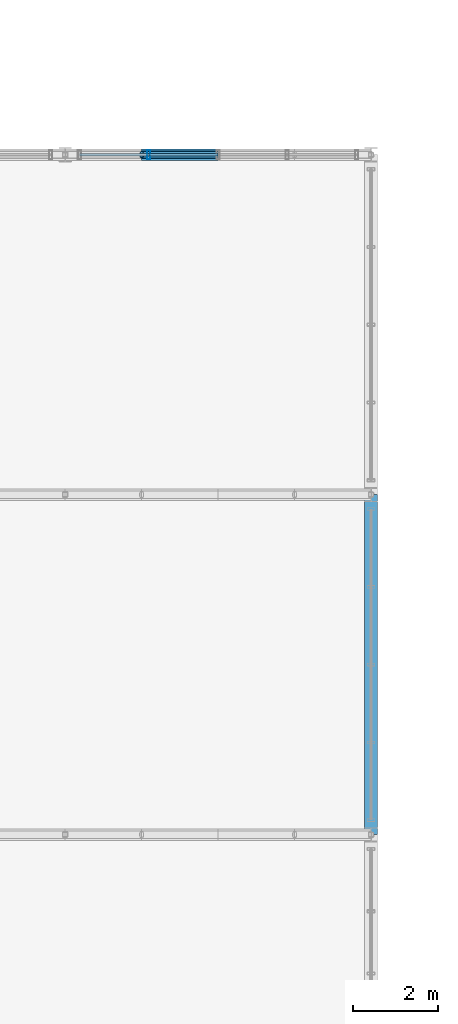
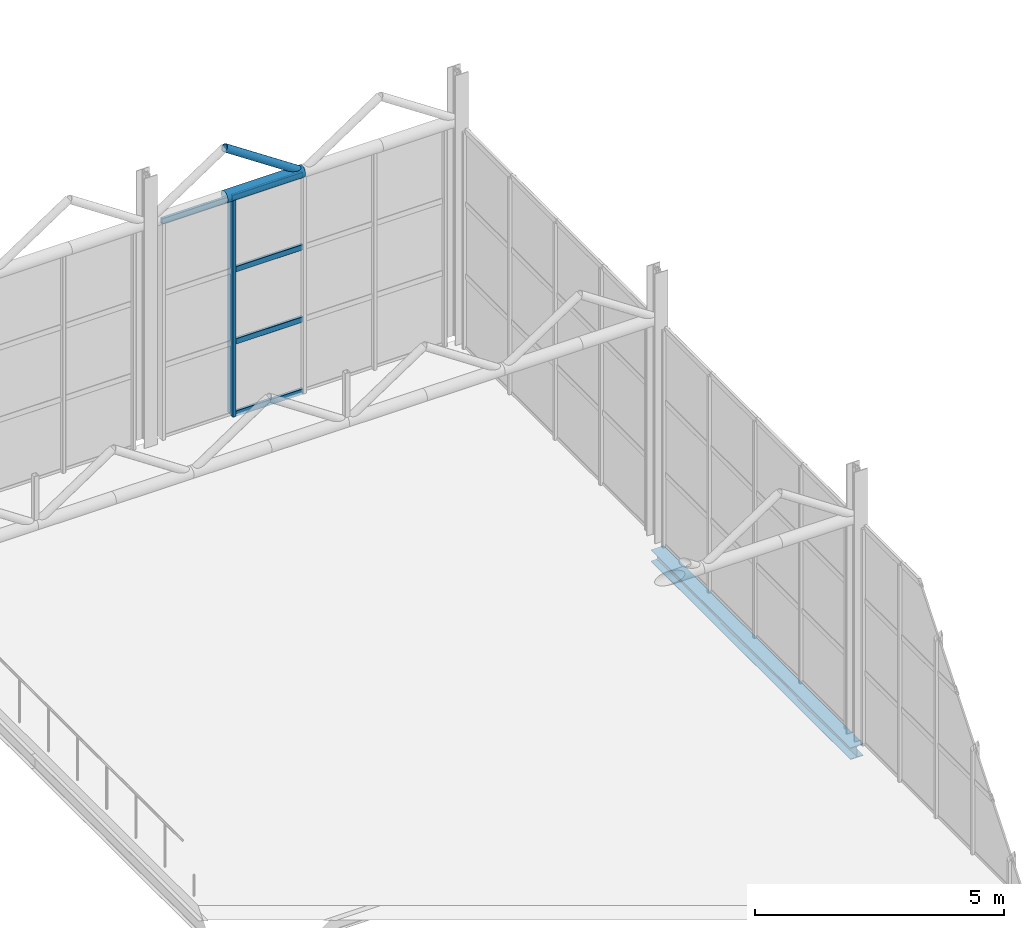
# One storey, part 98 of 153: 8 members, 1 beam, 1 element without a shape of its own.
"""IFC4 building model written with IfcOpenShell, lengths in metres."""

from ifc_helpers import new_model, si_unit, derived_unit, direction, frame, origin, origin_2d, place, context, subcontext, project, spatial, hollow_rectangle, hollow_circle, i_section, extrude, material, material_profile, profile_set, type_object, element, aggregate, save


model = new_model("IFC4")

# Units and contexts
model_context = context("Model", 3, precision=1e-05, world=origin(), true_north=direction((0.0, 1.0)))
body_context = subcontext(model_context, "Body", "Model", "MODEL_VIEW")
ifc_project = project(units=[si_unit("LENGTHUNIT", "METRE"), si_unit("AREAUNIT", "SQUARE_METRE"), si_unit("VOLUMEUNIT", "CUBIC_METRE"), si_unit("PLANEANGLEUNIT", "RADIAN"), si_unit("MASSUNIT", "GRAM", prefix="KILO"), derived_unit("THERMALTRANSMITTANCEUNIT", [(si_unit("POWERUNIT", "WATT"), 1), (si_unit("LENGTHUNIT", "METRE"), -2), (si_unit("THERMODYNAMICTEMPERATUREUNIT", "KELVIN"), -1)])], contexts=[model_context])

# Site, building, storey
site_placement = place(None, origin())
site = spatial("IfcSite", under=ifc_project, at=site_placement, CompositionType="ELEMENT")
building_placement = place(site_placement, origin())
building = spatial("IfcBuilding", under=site, at=building_placement, Name="Keldorne Ridge Multi-Sports Centre", CompositionType="ELEMENT")
storey_placement = place(building_placement, frame((0.0, 0.0, 9.60009765625)))
storey = spatial("IfcBuildingStorey", under=building, at=storey_placement, Name="L02", CompositionType="ELEMENT", Elevation=9.60009765625)

# Beam
ifc_material_1 = material(Name="Steel S355", Category="steel")
ifc_material_profile_1 = material_profile(ifc_material_1, i_section(OverallWidth=0.300048828125, OverallDepth=0.2900390625, WebThickness=0.008544921875, FlangeThickness=0.013916015625, FilletRadius=0.027099609375, at=origin_2d()), Name="HEA 300")
ifc_profile_set_1 = profile_set([ifc_material_profile_1], Name="Steel S355")
beam_type = type_object("IfcBeamType", Name="BM-SP-04", PredefinedType="SPANDREL", material=ifc_profile_set_1)
beam_placement = place(storey_placement, frame((42.0, 98.0, -0.39013671875), z_axis=(0.0, 1.0, 0.0), x_axis=(-1.0, 0.0, 0.0)))
element("IfcBeam", 1, at=beam_placement, inside=storey, type_object=beam_type, Name="Climbing east spandrel L02.4", PredefinedType="SPANDREL", context=body_context, shape_type="SweptSolid", body=[
    extrude(i_section(OverallWidth=0.300048828125, OverallDepth=0.2900390625, WebThickness=0.008544921875, FlangeThickness=0.013916015625, FilletRadius=0.027099609375, at=origin_2d()), origin(), (0.0, 0.0, 1.0), 8.0),
])

# Curtain wall, member
ifc_material_2 = material(Name="Anodized aluminium", Category="aluminium")
curtain_wall_type = type_object("IfcCurtainWallType", Name="CW-CW-01", PredefinedType="NOTDEFINED", material=ifc_material_2)
curtain_wall_placement = place(storey_placement, origin())
curtain_wall = element("IfcCurtainWall", 2, at=curtain_wall_placement, inside=storey, type_object=curtain_wall_type, Name="Climbing north glazing L02 057", PredefinedType="NOTDEFINED")
ifc_material_profile_2 = material_profile(ifc_material_2, hollow_rectangle(XDim=0.074951171875, YDim=0.219970703125, WallThickness=0.0048828125, InnerFilletRadius=0.0048828125, OuterFilletRadius=0.010009765625, at=origin_2d()), Name="ALU MULLION 220x75x5")
ifc_profile_set_2 = profile_set([ifc_material_profile_2], Name="Anodized aluminium")
member_type_1 = type_object("IfcMemberType", Name="MEM-ML-02", PredefinedType="MULLION", material=ifc_profile_set_2)
member_1_placement = place(storey_placement, frame((36.77001953125, 114.0, 0.0), z_axis=(0.0, 0.0, 1.0), x_axis=(1.0, 0.0, 0.0)))
member_1 = element("IfcMember", 3, at=member_1_placement, type_object=member_type_1, Name="CW-057 vertical mullion 4", PredefinedType="MULLION", context=body_context, shape_type="SweptSolid", body=[
    extrude(hollow_rectangle(XDim=0.074951171875, YDim=0.219970703125, WallThickness=0.0048828125, InnerFilletRadius=0.0048828125, OuterFilletRadius=0.010009765625, at=origin_2d()), origin(), (0.0, 0.0, 1.0), 5.2998046875),
])

# Members
ifc_material_profile_3 = material_profile(ifc_material_1, hollow_circle(Radius=0.136474609375, WallThickness=0.012451171875, at=origin_2d()), Name="CHS 273x12.5")
ifc_profile_set_3 = profile_set([ifc_material_profile_3], Name="Steel S355")
member_type_2 = type_object("IfcMemberType", Name="MEM-TC-05", PredefinedType="CHORD", material=ifc_profile_set_3)
member_2_placement = place(storey_placement, frame((36.60009765625, 114.0, 5.3798828125), z_axis=(1.0, 0.0, 0.0), x_axis=(0.0, 1.0, 0.0)))
element("IfcMember", 4, at=member_2_placement, inside=storey, type_object=member_type_2, Name="Climbing sawtooth ROOF TRUSS ST-06 bottom chord 18", PredefinedType="CHORD", context=body_context, shape_type="SweptSolid", body=[
    extrude(hollow_circle(Radius=0.136474609375, WallThickness=0.012451171875, at=origin_2d()), origin(), (0.0, 0.0, 1.0), 1.7998046875),
])
ifc_material_profile_4 = material_profile(ifc_material_1, hollow_circle(Radius=0.0888671875, WallThickness=0.010009765625, at=origin_2d()), Name="CHS 177.8x10")
ifc_profile_set_4 = profile_set([ifc_material_profile_4], Name="Steel S355")
member_type_3 = type_object("IfcMemberType", Name="MEM-TD-03", PredefinedType="BRACE", material=ifc_profile_set_4)
member_3_placement = place(storey_placement, frame((36.60009765625, 114.0, 6.579833984375), z_axis=(0.832032930248, 0.0, -0.554726241477), x_axis=(0.0, 1.0, 0.0)))
element("IfcMember", 5, at=member_3_placement, inside=storey, type_object=member_type_3, Name="Climbing sawtooth web diagonal 06.18", PredefinedType="BRACE", context=body_context, shape_type="SweptSolid", body=[
    extrude(hollow_circle(Radius=0.0888671875, WallThickness=0.010009765625, at=origin_2d()), origin(), (0.0, 0.0, 1.0), 2.1630859375),
])

# Member
ifc_material_profile_5 = material_profile(ifc_material_2, hollow_rectangle(XDim=0.06494140625, YDim=0.139892578125, WallThickness=0.00439453125, InnerFilletRadius=0.00439453125, OuterFilletRadius=0.009033203125, at=origin_2d()), Name="ALU TRANSOM 140x65x4.5")
ifc_profile_set_5 = profile_set([ifc_material_profile_5], Name="Anodized aluminium")
member_type_4 = type_object("IfcMemberType", Name="MEM-TR-01", PredefinedType="USERDEFINED", material=ifc_profile_set_5)
member_4_placement = place(storey_placement, frame((38.39990234375, 114.0, 0.0), z_axis=(-1.0, 0.0, 0.0), x_axis=(0.0, -1.0, 0.0)))
member_4 = element("IfcMember", 6, at=member_4_placement, type_object=member_type_4, Name="CW-057 transom 3.1", ObjectType="TRANSOM", PredefinedType="USERDEFINED", context=body_context, shape_type="SweptSolid", body=[
    extrude(hollow_rectangle(XDim=0.06494140625, YDim=0.139892578125, WallThickness=0.00439453125, InnerFilletRadius=0.00439453125, OuterFilletRadius=0.009033203125, at=origin_2d()), origin(), (0.0, 0.0, 1.0), 1.6298828125),
])

member_5_placement = place(storey_placement, frame((38.39990234375, 114.0, 1.7666015625), z_axis=(-1.0, 0.0, 0.0), x_axis=(0.0, -1.0, 0.0)))
member_5 = element("IfcMember", 7, at=member_5_placement, type_object=member_type_4, Name="CW-057 transom 3.2", ObjectType="TRANSOM", PredefinedType="USERDEFINED", context=body_context, shape_type="SweptSolid", body=[
    extrude(hollow_rectangle(XDim=0.06494140625, YDim=0.139892578125, WallThickness=0.00439453125, InnerFilletRadius=0.00439453125, OuterFilletRadius=0.009033203125, at=origin_2d()), origin(), (0.0, 0.0, 1.0), 1.6298828125),
])

member_6_placement = place(storey_placement, frame((38.39990234375, 114.0, 3.533203125), z_axis=(-1.0, 0.0, 0.0), x_axis=(0.0, -1.0, 0.0)))
member_6 = element("IfcMember", 8, at=member_6_placement, type_object=member_type_4, Name="CW-057 transom 3.3", ObjectType="TRANSOM", PredefinedType="USERDEFINED", context=body_context, shape_type="SweptSolid", body=[
    extrude(hollow_rectangle(XDim=0.06494140625, YDim=0.139892578125, WallThickness=0.00439453125, InnerFilletRadius=0.00439453125, OuterFilletRadius=0.009033203125, at=origin_2d()), origin(), (0.0, 0.0, 1.0), 1.6298828125),
])

member_7_placement = place(storey_placement, frame((38.39990234375, 114.0, 5.2998046875), z_axis=(-1.0, 0.0, 0.0), x_axis=(0.0, -1.0, 0.0)))
member_7 = element("IfcMember", 9, at=member_7_placement, type_object=member_type_4, Name="CW-057 transom 3.4", ObjectType="TRANSOM", PredefinedType="USERDEFINED", context=body_context, shape_type="SweptSolid", body=[
    extrude(hollow_rectangle(XDim=0.06494140625, YDim=0.139892578125, WallThickness=0.00439453125, InnerFilletRadius=0.00439453125, OuterFilletRadius=0.009033203125, at=origin_2d()), origin(), (0.0, 0.0, 1.0), 1.6298828125),
])

member_8_placement = place(storey_placement, frame((36.77001953125, 114.0, 5.2998046875), z_axis=(-1.0, 0.0, 0.0), x_axis=(0.0, -1.0, 0.0)))
member_8 = element("IfcMember", 10, at=member_8_placement, type_object=member_type_4, Name="CW-057 transom 4.4", ObjectType="TRANSOM", PredefinedType="USERDEFINED", context=body_context, shape_type="SweptSolid", body=[
    extrude(hollow_rectangle(XDim=0.06494140625, YDim=0.139892578125, WallThickness=0.00439453125, InnerFilletRadius=0.00439453125, OuterFilletRadius=0.009033203125, at=origin_2d()), origin(), (0.0, 0.0, 1.0), 1.630126953125),
])

aggregate(curtain_wall, [member_1, member_4, member_5, member_6, member_7, member_8])

save(model, "model.ifc")
